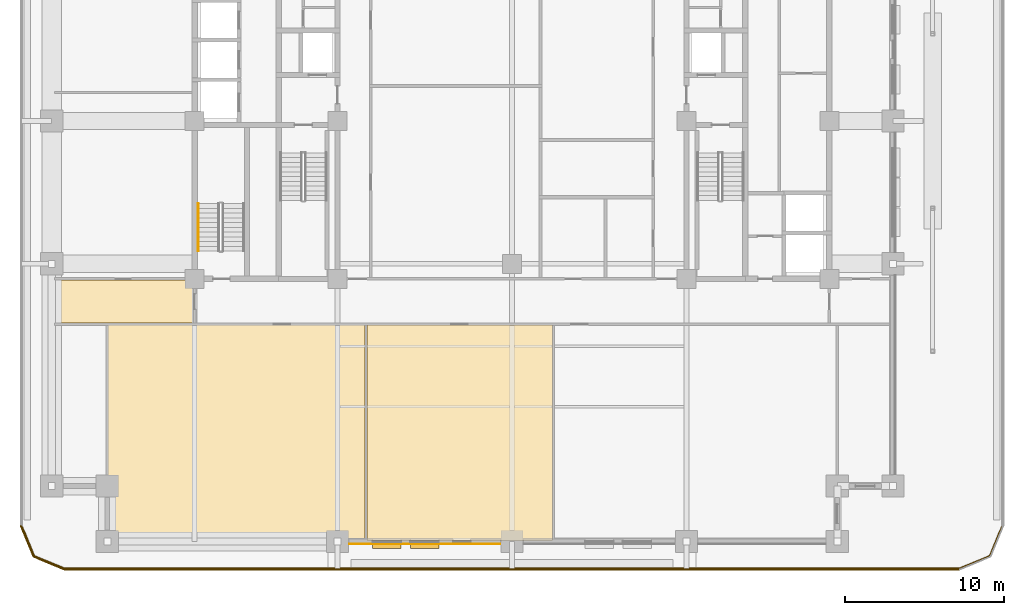
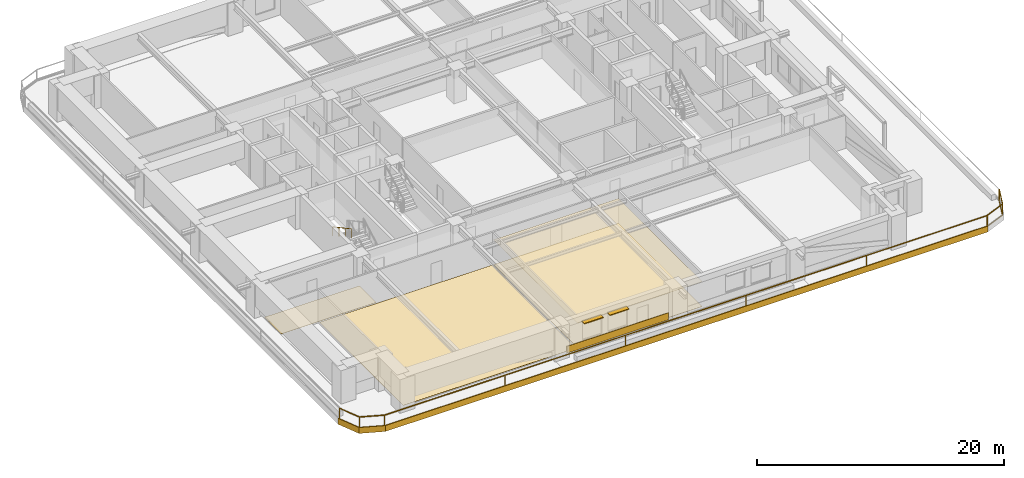
# One storey, part 10 of 18: 8 coverings, 2 railings, 2 shading devices.
"""IFC4 building model written with IfcOpenShell, lengths in metres."""

from ifc_helpers import new_model, si_unit, direction, frame, frame_2d, origin, origin_2d, place, context, subcontext, project, spatial, polyline, rectangle, outline, extrude, material, layer, layer_set, type_object, element, save


model = new_model("IFC4")

# Units and contexts
model_context = context("Model", 3, precision=1e-05, world=origin(), true_north=direction((0.0, 1.0)))
body_context = subcontext(model_context, "Body", "Model", "MODEL_VIEW")
ifc_project = project(units=[si_unit("LENGTHUNIT", "METRE"), si_unit("AREAUNIT", "SQUARE_METRE"), si_unit("VOLUMEUNIT", "CUBIC_METRE"), si_unit("PLANEANGLEUNIT", "RADIAN"), si_unit("MASSUNIT", "GRAM", prefix="KILO")], contexts=[model_context])

# Site, building, storey
site_placement = place(None, origin())
site = spatial("IfcSite", under=ifc_project, at=site_placement, CompositionType="ELEMENT")
building_placement = place(site_placement, origin())
building = spatial("IfcBuilding", under=site, at=building_placement, Name="Zulmaris Gate Convention Tower", CompositionType="ELEMENT")
storey_placement = place(building_placement, frame((0.0, 0.0, 57.18994140625)))
storey = spatial("IfcBuildingStorey", under=building, at=storey_placement, Name="L13", CompositionType="ELEMENT", Elevation=57.18994140625)

# Coverings
ifc_material_1 = material(Name="Precast concrete C40/50", Category="concrete")
ifc_layer_1 = layer(ifc_material_1, 0.0400390625, Name="Precast concrete C40/50")
ifc_layer_set_1 = layer_set([ifc_layer_1], Name="Precast concrete C40/50")
covering_type_1 = type_object("IfcCoveringType", Name="CLAD-SPANDREL-PRECAST", PredefinedType="CLADDING", material=ifc_layer_set_1)
covering_1_placement = place(storey_placement, frame((-10.27001953125, -26.64990234375, 0.0), z_axis=(0.0, 0.0, 1.0), x_axis=(1.0, 0.0, 0.0)))
element("IfcCovering", 1, at=covering_1_placement, inside=storey, type_object=covering_type_1, Name="CLD-L13-S-1_0", PredefinedType="CLADDING", context=body_context, shape_type="SweptSolid", body=[
    extrude(rectangle(XDim=9.5400390625, YDim=0.0400390625, at=frame_2d((4.77001953125, 0.0))), origin(), (0.0, 0.0, 1.0), 0.679931640625),
])
ifc_material_2 = material(Name="White Glazed Architectural Precast Concrete C40/50", Category="concrete")
ifc_layer_2 = layer(ifc_material_2, 0.080078125, Name="White Glazed Architectural Precast Concrete C40/50")
ifc_layer_set_2 = layer_set([ifc_layer_2], Name="White Glazed Architectural Precast Concrete C40/50")
covering_type_2 = type_object("IfcCoveringType", Name="CLAD-TRAY-FASCIA", PredefinedType="CLADDING", material=ifc_layer_set_2)
covering_2_placement = place(storey_placement, frame((-30.962890625, -25.484619140625, -0.465087890625), z_axis=(0.0, 0.0, 1.0), x_axis=(0.382656984709, -0.923890487046, 0.0)))
element("IfcCovering", 2, at=covering_2_placement, inside=storey, type_object=covering_type_2, Name="FSC-L13-TR-00", PredefinedType="CLADDING", context=body_context, shape_type="SweptSolid", body=[
    extrude(rectangle(XDim=2.14306640625, YDim=0.080078125, at=frame_2d((1.071533203125, 0.0))), origin(), (0.0, 0.0, 1.0), 0.5849609375),
])
covering_3_placement = place(storey_placement, frame((-30.16455078125, -27.44287109375, -0.465087890625), z_axis=(0.0, 0.0, 1.0), x_axis=(0.923873803533, -0.382697263049, 0.0)))
element("IfcCovering", 3, at=covering_3_placement, inside=storey, type_object=covering_type_2, Name="FSC-L13-TR-01", PredefinedType="CLADDING", context=body_context, shape_type="SweptSolid", body=[
    extrude(rectangle(XDim=2.142822265625, YDim=0.080078125, at=frame_2d((1.0712890625, 0.0))), origin(), (0.0, 0.0, 1.0), 0.5849609375),
])
covering_4_placement = place(storey_placement, frame((-28.199951171875, -28.260009765625, -0.465087890625), z_axis=(0.0, 0.0, 1.0), x_axis=(1.0, 0.0, 0.0)))
element("IfcCovering", 4, at=covering_4_placement, inside=storey, type_object=covering_type_2, Name="FSC-L13-TR-02", PredefinedType="CLADDING", context=body_context, shape_type="SweptSolid", body=[
    extrude(rectangle(XDim=56.39990234375, YDim=0.080078125, at=frame_2d((28.199951171875, 0.0))), origin(), (0.0, 0.0, 1.0), 0.5849609375),
])
ifc_material_3 = material(Name="Mineral Fibre Acoustic Ceiling Tile")
ifc_layer_3 = layer(ifc_material_3, 0.02001953125, Name="Mineral Fibre Acoustic Ceiling Tile")
ifc_layer_set_3 = layer_set([ifc_layer_3], Name="Mineral Fibre Acoustic Ceiling Tile")
covering_type_3 = type_object("IfcCoveringType", Name="CLG-ACOUSTIC-600", PredefinedType="CEILING", material=ifc_layer_set_3)
covering_5_placement = place(storey_placement, frame((0.0, 0.0, 2.453125)))
element("IfcCovering", 5, at=covering_5_placement, inside=storey, type_object=covering_type_3, Name="CLG-L13-R42", PredefinedType="CEILING", context=body_context, shape_type="SweptSolid", body=[
    extrude(outline(polyline([(-9.139892578125, -26.43994140625), (2.5400390625, -26.43994140625), (2.5400390625, -12.860107421875), (-9.139892578125, -12.860107421875), (-9.139892578125, -26.43994140625)])), origin(), (0.0, 0.0, 1.0), 0.02001953125),
])
ifc_material_4 = material(Name="Woven Acoustic Wool Carpet Tile")
ifc_layer_4 = layer(ifc_material_4, 0.02001953125, Name="Woven Acoustic Wool Carpet Tile")
ifc_layer_set_4 = layer_set([ifc_layer_4], Name="Woven Acoustic Wool Carpet Tile")
covering_type_4 = type_object("IfcCoveringType", Name="FLR-CARPET-12", PredefinedType="FLOORING", material=ifc_layer_set_4)
covering_6_placement = place(storey_placement, origin())
element("IfcCovering", 6, at=covering_6_placement, inside=storey, type_object=covering_type_4, Name="FLR-L13-R42", PredefinedType="FLOORING", context=body_context, shape_type="SweptSolid", body=[
    extrude(outline(polyline([(-9.139892578125, -26.43994140625), (2.5400390625, -26.43994140625), (2.5400390625, -12.860107421875), (-9.139892578125, -12.860107421875), (-9.139892578125, -26.43994140625)])), origin(), (0.0, 0.0, 1.0), 0.02001953125),
])
covering_7_placement = place(storey_placement, origin())
element("IfcCovering", 7, at=covering_7_placement, inside=storey, type_object=covering_type_4, Name="FLR-L13-R51", PredefinedType="FLOORING", context=body_context, shape_type="SweptSolid", body=[
    extrude(outline(polyline([(-28.93994140625, -12.739990234375), (-20.06005859375, -12.739990234375), (-20.06005859375, -10.010009765625), (-28.93994140625, -10.010009765625), (-28.93994140625, -12.739990234375)])), origin(), (0.0, 0.0, 1.0), 0.02001953125),
])
ifc_material_5 = material(Name="Engineered Teak Parquet Flooring")
ifc_layer_5 = layer(ifc_material_5, 0.02001953125, Name="Engineered Teak Parquet Flooring")
ifc_layer_set_5 = layer_set([ifc_layer_5], Name="Engineered Teak Parquet Flooring")
covering_type_5 = type_object("IfcCoveringType", Name="FLR-TIMBER-18", PredefinedType="FLOORING", material=ifc_layer_set_5)
covering_8_placement = place(storey_placement, origin())
element("IfcCovering", 8, at=covering_8_placement, inside=storey, type_object=covering_type_5, Name="FLR-L13-R41", PredefinedType="FLOORING", context=body_context, shape_type="SweptSolid", body=[
    extrude(outline(polyline([(-25.43994140625, -26.43994140625), (-9.260009765625, -26.43994140625), (-9.260009765625, -12.860107421875), (-25.43994140625, -12.860107421875), (-25.43994140625, -26.43994140625)])), origin(), (0.0, 0.0, 1.0), 0.02001953125),
])

# Railings
ifc_material_6 = material(Name="Laminated Glass and Stainless Steel", Category="steel")
railing_type_1 = type_object("IfcRailingType", Name="RL-BALC-1150", PredefinedType="BALUSTRADE", material=ifc_material_6)
railing_1_placement = place(storey_placement, frame((-30.8798828125, -25.5, -0.0400390625)))
element("IfcRailing", 9, at=railing_1_placement, inside=storey, type_object=railing_type_1, Name="RL-L13-BALC-S", PredefinedType="BALUSTRADE", context=body_context, shape_type="SweptSolid", body=[
    extrude(rectangle(XDim=0.048095703125, YDim=0.048095703125, at=origin_2d()), frame((0.0, 0.0, 1.1259765625), z_axis=(0.382670664694, -0.92388482095, 0.0), x_axis=(0.92388482095, 0.382670664694, 0.0)), (0.0, 0.0, 1.0), 2.051025390625),
    extrude(rectangle(XDim=0.048095703125, YDim=0.048095703125, at=origin_2d()), frame((0.0, 0.0, 0.02392578125), z_axis=(0.382670664694, -0.92388482095, 0.0), x_axis=(0.92388482095, 0.382670664694, 0.0)), (0.0, 0.0, 1.0), 2.051025390625),
    extrude(rectangle(XDim=0.048095703125, YDim=0.048095703125, at=origin_2d()), frame((0.784912109375, -1.89501953125, 1.1259765625), z_axis=(0.92388482095, -0.382670664694, 0.0), x_axis=(0.382670664694, 0.92388482095, 0.0)), (0.0, 0.0, 1.0), 2.051025390625),
    extrude(rectangle(XDim=0.048095703125, YDim=0.048095703125, at=origin_2d()), frame((0.784912109375, -1.89501953125, 0.02392578125), z_axis=(0.92388482095, -0.382670664694, 0.0), x_axis=(0.382670664694, 0.92388482095, 0.0)), (0.0, 0.0, 1.0), 2.051025390625),
    extrude(rectangle(XDim=0.048095703125, YDim=0.048095703125, at=origin_2d()), frame((2.679931640625, -2.679931640625, 1.1259765625), z_axis=(1.0, 0.0, 0.0), x_axis=(0.0, 1.0, 0.0)), (0.0, 0.0, 1.0), 56.39990234375),
    extrude(rectangle(XDim=0.048095703125, YDim=0.048095703125, at=origin_2d()), frame((2.679931640625, -2.679931640625, 0.02392578125), z_axis=(1.0, 0.0, 0.0), x_axis=(0.0, 1.0, 0.0)), (0.0, 0.0, 1.0), 56.39990234375),
    extrude(rectangle(XDim=0.048095703125, YDim=0.048095703125, at=origin_2d()), frame((59.079833984375, -2.679931640625, 1.1259765625), z_axis=(0.92388482095, 0.382670664694, 0.0), x_axis=(-0.382670664694, 0.92388482095, 0.0)), (0.0, 0.0, 1.0), 2.051025390625),
    extrude(rectangle(XDim=0.048095703125, YDim=0.048095703125, at=origin_2d()), frame((59.079833984375, -2.679931640625, 0.02392578125), z_axis=(0.92388482095, 0.382670664694, 0.0), x_axis=(-0.382670664694, 0.92388482095, 0.0)), (0.0, 0.0, 1.0), 2.051025390625),
    extrude(rectangle(XDim=0.048095703125, YDim=0.048095703125, at=origin_2d()), frame((60.974853515625, -1.89501953125, 1.1259765625), z_axis=(0.382670664694, 0.92388482095, 0.0), x_axis=(-0.92388482095, 0.382670664694, 0.0)), (0.0, 0.0, 1.0), 2.051025390625),
    extrude(rectangle(XDim=0.048095703125, YDim=0.048095703125, at=origin_2d()), frame((60.974853515625, -1.89501953125, 0.02392578125), z_axis=(0.382670664694, 0.92388482095, 0.0), x_axis=(-0.92388482095, 0.382670664694, 0.0)), (0.0, 0.0, 1.0), 2.051025390625),
    extrude(rectangle(XDim=0.0419921875, YDim=0.0419921875, at=origin_2d()), origin(), (0.0, 0.0, 1.0), 1.101806640625),
    extrude(rectangle(XDim=0.0419921875, YDim=0.0419921875, at=origin_2d()), frame((0.784912109375, -1.89501953125, 0.0)), (0.0, 0.0, 1.0), 1.101806640625),
    extrude(rectangle(XDim=0.0419921875, YDim=0.0419921875, at=origin_2d()), frame((2.679931640625, -2.679931640625, 0.0)), (0.0, 0.0, 1.0), 1.101806640625),
    extrude(rectangle(XDim=0.0419921875, YDim=0.0419921875, at=origin_2d()), frame((13.9599609375, -2.679931640625, 0.0)), (0.0, 0.0, 1.0), 1.101806640625),
    extrude(rectangle(XDim=0.0419921875, YDim=0.0419921875, at=origin_2d()), frame((25.239990234375, -2.679931640625, 0.0)), (0.0, 0.0, 1.0), 1.101806640625),
    extrude(rectangle(XDim=0.0419921875, YDim=0.0419921875, at=origin_2d()), frame((36.519775390625, -2.679931640625, 0.0)), (0.0, 0.0, 1.0), 1.101806640625),
    extrude(rectangle(XDim=0.0419921875, YDim=0.0419921875, at=origin_2d()), frame((47.7998046875, -2.679931640625, 0.0)), (0.0, 0.0, 1.0), 1.101806640625),
    extrude(rectangle(XDim=0.0419921875, YDim=0.0419921875, at=origin_2d()), frame((59.079833984375, -2.679931640625, 0.0)), (0.0, 0.0, 1.0), 1.101806640625),
    extrude(rectangle(XDim=0.0419921875, YDim=0.0419921875, at=origin_2d()), frame((60.974853515625, -1.89501953125, 0.0)), (0.0, 0.0, 1.0), 1.101806640625),
    extrude(rectangle(XDim=0.0419921875, YDim=0.0419921875, at=origin_2d()), frame((61.759765625, 0.0, 0.0)), (0.0, 0.0, 1.0), 1.101806640625),
])
ifc_material_7 = material(Name="Brushed Stainless Steel", Category="steel")
railing_type_2 = type_object("IfcRailingType", Name="RL-STH-900", PredefinedType="HANDRAIL", material=ifc_material_7)
railing_2_placement = place(storey_placement, frame((-19.77001953125, -5.199951171875, 1.947265625)))
element("IfcRailing", 10, at=railing_2_placement, inside=storey, type_object=railing_type_2, Name="L13 ST-3 stair handrail 2", PredefinedType="HANDRAIL", context=body_context, shape_type="SweptSolid", body=[
    extrude(rectangle(XDim=0.048095703125, YDim=0.048095703125, at=origin_2d()), frame((0.0, 0.0, 0.8759765625), z_axis=(0.0, -0.8795616155, 0.475784998228), x_axis=(1.0, 0.0, 0.0)), (0.0, 0.0, 1.0), 3.410888671875),
    extrude(rectangle(XDim=0.0419921875, YDim=0.0419921875, at=origin_2d()), origin(), (0.0, 0.0, 1.0), 0.851806640625),
    extrude(rectangle(XDim=0.0419921875, YDim=0.0419921875, at=origin_2d()), frame((0.0, -1.0, 0.541015625)), (0.0, 0.0, 1.0), 0.851806640625),
    extrude(rectangle(XDim=0.0419921875, YDim=0.0419921875, at=origin_2d()), frame((0.0, -2.0, 1.081787109375)), (0.0, 0.0, 1.0), 0.851806640625),
    extrude(rectangle(XDim=0.0419921875, YDim=0.0419921875, at=origin_2d()), frame((0.0, -3.0, 1.622802734375)), (0.0, 0.0, 1.0), 0.851806640625),
])

# Shading devices
ifc_material_8 = material(Name="Glazed Ceramic Terracotta", Category="masonry")
ifc_layer_6 = layer(ifc_material_8, 0.070068359375, Name="Glazed Ceramic Terracotta")
ifc_layer_set_6 = layer_set([ifc_layer_6], Name="Glazed Ceramic Terracotta")
shading_device_type = type_object("IfcShadingDeviceType", Name="SHD-SUNSHADE-TC", PredefinedType="AWNING", material=ifc_layer_set_6)
for number, where, z_axis, x_axis, name in (
    (11, (-8.784912109375, -26.719970703125, 2.530029296875), (0.0, 0.0, 1.0), (1.0, 0.0, 0.0), "SHD-EW-L13-S-1_0-1"),
    (12, (-6.39990234375, -26.719970703125, 2.530029296875), (0.0, 0.0, 1.0), (1.0, 0.0, 0.0), "SHD-EW-L13-S-1_0-2"),
):
    element("IfcShadingDevice", number, at=place(storey_placement, frame(where, z_axis=z_axis, x_axis=x_axis)), inside=storey, type_object=shading_device_type, Name=name, PredefinedType="AWNING", context=body_context, shape_type="SweptSolid", body=[
        extrude(rectangle(XDim=1.7998046875, YDim=0.43994140625, at=frame_2d((0.89990234375, 0.0))), origin(), (0.0, 0.0, 1.0), 0.06982421875),
    ])

save(model, "model.ifc")
